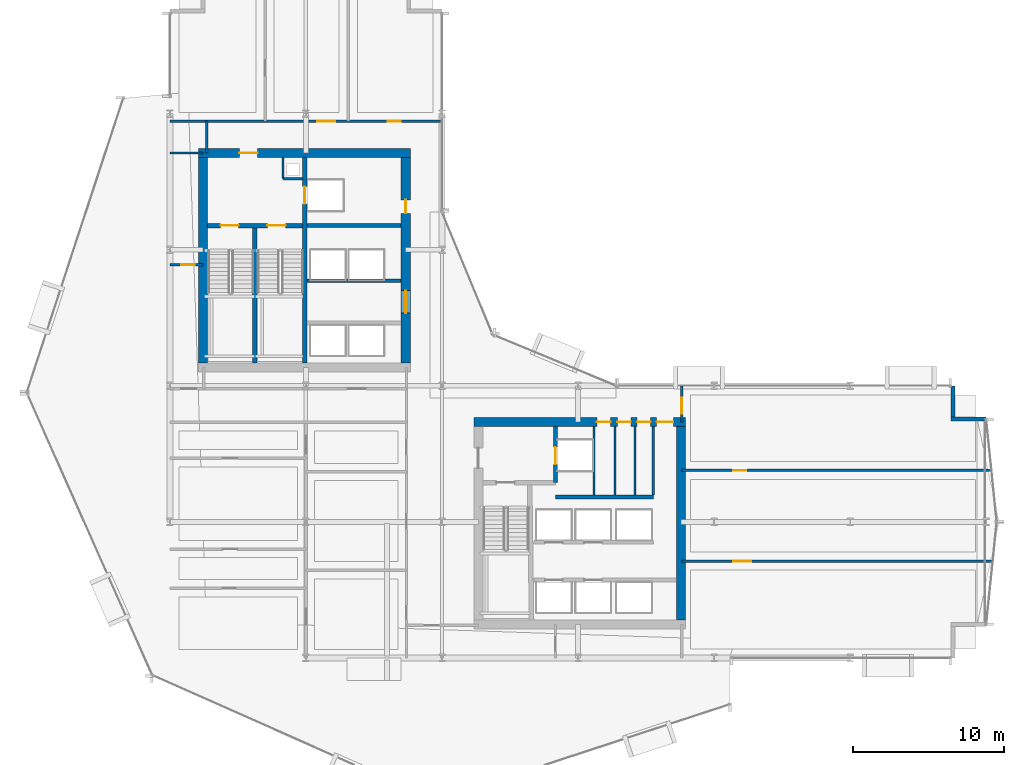
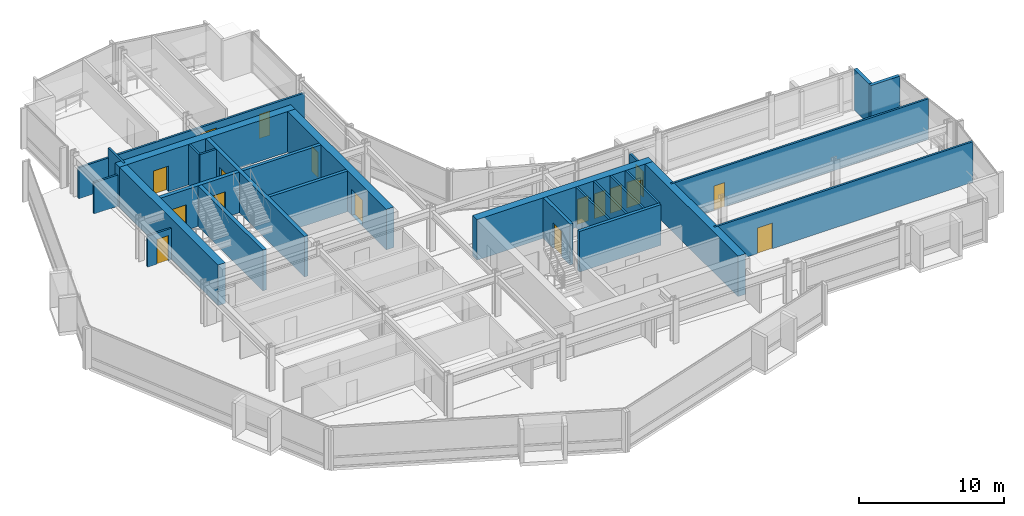
# One storey, part 28 of 34: 27 walls, 17 doors, 17 openings.
"""IFC4 building model written with IfcOpenShell, lengths in metres."""

from ifc_helpers import new_model, si_unit, direction, frame, frame_2d, origin, place, context, subcontext, project, spatial, rectangle, extrude, material, layer, layer_set, type_object, element, fill, save


model = new_model("IFC4")

# Units and contexts
model_context = context("Model", 3, precision=1e-05, world=origin(), true_north=direction((0.0, 1.0)))
body_context = subcontext(model_context, "Body", "Model", "MODEL_VIEW")
ifc_project = project(units=[si_unit("LENGTHUNIT", "METRE"), si_unit("AREAUNIT", "SQUARE_METRE"), si_unit("VOLUMEUNIT", "CUBIC_METRE"), si_unit("PLANEANGLEUNIT", "RADIAN"), si_unit("MASSUNIT", "GRAM", prefix="KILO")], contexts=[model_context])

# Site, building, storey
site_placement = place(None, origin())
site = spatial("IfcSite", under=ifc_project, at=site_placement, CompositionType="ELEMENT")
building_placement = place(site_placement, origin())
building = spatial("IfcBuilding", under=site, at=building_placement, Name="Solvaryn Broadcast Tower", CompositionType="ELEMENT")
storey_placement = place(building_placement, frame((0.0, 0.0, 43.39990234375)))
storey = spatial("IfcBuildingStorey", under=building, at=storey_placement, Name="L09", CompositionType="ELEMENT", Elevation=43.39990234375)

# Wall, opening, door
ifc_material_1 = material(Name="Concrete f'c 70 MPa", Category="concrete")
ifc_layer_1 = layer(ifc_material_1, 0.60009765625)
ifc_layer_set_1 = layer_set([ifc_layer_1], Name="CW-SHEAR-600")
wall_type_1 = type_object("IfcWallType", Name="CW-SHEAR-600", PredefinedType="SHEAR", material=ifc_layer_set_1)
wall_1_placement = place(storey_placement, frame((24.89990234375, 42.39990234375, 0.0), z_axis=(0.0, 0.0, 1.0), x_axis=(-1.0, 0.0, 0.0)))
wall_1 = element("IfcWall", 1, at=wall_1_placement, inside=storey, type_object=wall_type_1, Name="L09 West Core North Shear Wall", PredefinedType="SHEAR", context=body_context, shape_type="SweptSolid", body=[
    extrude(rectangle(XDim=14.0, YDim=0.60009765625, at=frame_2d((7.0, 0.0))), origin(), (0.0, 0.0, 1.0), 3.420166015625),
])
opening_1_placement = place(wall_1_placement, frame((10.10009765625, 0.0, 0.0)))
opening_1 = element("IfcOpeningElement", 2, at=opening_1_placement, cuts=wall_1, Name="Opening FD90A", PredefinedType="OPENING", context=body_context, shape_type="SweptSolid", body=[
    extrude(rectangle(XDim=1.199951171875, YDim=2.14990234375, at=frame_2d((0.60009765625, 1.074951171875))), frame((0.0, 0.31005859375, 0.0), z_axis=(0.0, -1.0, 0.0), x_axis=(1.0, 0.0, 0.0)), (0.0, 0.0, 1.0), 0.6201171875),
])
ifc_material_2 = material(Name="Flush Acoustic Steel and Timber Door Assembly", Category="steel")
door_type_1 = type_object("IfcDoorType", Name="FD90-STAIR-1200X2150", OperationType="NOTDEFINED", PredefinedType="DOOR", material=ifc_material_2)
door_1_placement = place(opening_1_placement, origin())
door_1 = element("IfcDoor", 3, at=door_1_placement, inside=storey, type_object=door_type_1, Name="L09 West FSAE Lobby Corridor Door", OperationType="SINGLE_SWING_LEFT", OverallHeight=2.14990234375, OverallWidth=1.199951171875, PredefinedType="DOOR", context=body_context, shape_type="SweptSolid", body=[
    extrude(rectangle(XDim=1.199951171875, YDim=2.14990234375, at=frame_2d((0.60009765625, 1.074951171875))), frame((0.0, 0.02490234375, 0.0), z_axis=(0.0, -1.0, 0.0), x_axis=(1.0, 0.0, 0.0)), (0.0, 0.0, 1.0), 0.050048828125),
])
fill(opening_1, door_1)

# Wall
wall_2_placement = place(storey_placement, frame((11.199951171875, 42.10009765625, 0.0), z_axis=(0.0, 0.0, 1.0), x_axis=(0.0, -1.0, 0.0)))
element("IfcWall", 4, at=wall_2_placement, inside=storey, type_object=wall_type_1, Name="L09 West Core West Shear Wall", PredefinedType="SHEAR", context=body_context, shape_type="SweptSolid", body=[
    extrude(rectangle(XDim=13.60009765625, YDim=0.60009765625, at=frame_2d((6.800048828125, 0.0))), origin(), (0.0, 0.0, 1.0), 3.420166015625),
])

# Wall, openings, doors
wall_3_placement = place(storey_placement, frame((24.60009765625, 28.5, 0.0), z_axis=(0.0, 0.0, 1.0), x_axis=(0.0, 1.0, 0.0)))
wall_3 = element("IfcWall", 5, at=wall_3_placement, inside=storey, type_object=wall_type_1, Name="L09 West Core East Shear Wall", PredefinedType="SHEAR", context=body_context, shape_type="SweptSolid", body=[
    extrude(rectangle(XDim=13.60009765625, YDim=0.60009765625, at=frame_2d((6.800048828125, 0.0))), origin(), (0.0, 0.0, 1.0), 3.420166015625),
])
opening_2_placement = place(wall_3_placement, frame((3.300048828125, 0.0, 0.0)))
opening_2 = element("IfcOpeningElement", 6, at=opening_2_placement, cuts=wall_3, Name="Opening FD60A", PredefinedType="OPENING", context=body_context, shape_type="SweptSolid", body=[
    extrude(rectangle(XDim=1.5, YDim=2.199951171875, at=frame_2d((0.75, 1.10009765625))), frame((0.0, 0.31005859375, 0.0), z_axis=(0.0, -1.0, 0.0), x_axis=(1.0, 0.0, 0.0)), (0.0, 0.0, 1.0), 0.6201171875),
])
opening_3_placement = place(wall_3_placement, frame((9.89990234375, 0.0, 0.0)))
opening_3 = element("IfcOpeningElement", 7, at=opening_3_placement, cuts=wall_3, Name="Opening FD60C", PredefinedType="OPENING", context=body_context, shape_type="SweptSolid", body=[
    extrude(rectangle(XDim=0.89990234375, YDim=2.10009765625, at=frame_2d((0.449951171875, 1.050048828125))), frame((0.0, 0.31005859375, 0.0), z_axis=(0.0, -1.0, 0.0), x_axis=(1.0, 0.0, 0.0)), (0.0, 0.0, 1.0), 0.6201171875),
])
ifc_material_3 = material(Name="Flush Acoustic Steel and Timber Door Assembly", Category="steel")
door_type_2 = type_object("IfcDoorType", Name="FD60-CORR-1500X2200", OperationType="NOTDEFINED", PredefinedType="DOOR", material=ifc_material_3)
door_2_placement = place(opening_2_placement, origin())
door_2 = element("IfcDoor", 8, at=door_2_placement, inside=storey, type_object=door_type_2, Name="L09 West Elevator Lobby Corridor Door", OperationType="DOUBLE_DOOR_SINGLE_SWING", OverallHeight=2.199951171875, OverallWidth=1.5, PredefinedType="DOOR", context=body_context, shape_type="SweptSolid", body=[
    extrude(rectangle(XDim=1.5, YDim=2.199951171875, at=frame_2d((0.75, 1.10009765625))), frame((0.0, 0.02490234375, 0.0), z_axis=(0.0, -1.0, 0.0), x_axis=(1.0, 0.0, 0.0)), (0.0, 0.0, 1.0), 0.050048828125),
])
fill(opening_2, door_2)
ifc_material_4 = material(Name="Flush Acoustic Steel and Timber Door Assembly", Category="steel")
door_type_3 = type_object("IfcDoorType", Name="FD60-SERV-900X2100", OperationType="NOTDEFINED", PredefinedType="DOOR", material=ifc_material_4)
door_3_placement = place(opening_3_placement, origin())
door_3 = element("IfcDoor", 9, at=door_3_placement, inside=storey, type_object=door_type_3, Name="L09 West Core Service Door 1", OperationType="SINGLE_SWING_LEFT", OverallHeight=2.10009765625, OverallWidth=0.89990234375, PredefinedType="DOOR", context=body_context, shape_type="SweptSolid", body=[
    extrude(rectangle(XDim=0.89990234375, YDim=2.10009765625, at=frame_2d((0.449951171875, 1.050048828125))), frame((0.0, 0.02490234375, 0.0), z_axis=(0.0, -1.0, 0.0), x_axis=(1.0, 0.0, 0.0)), (0.0, 0.0, 1.0), 0.050048828125),
])
fill(opening_3, door_3)

wall_4_placement = place(storey_placement, frame((43.10009765625, 24.60009765625, 0.0), z_axis=(0.0, 0.0, 1.0), x_axis=(-1.0, 0.0, 0.0)))
wall_4 = element("IfcWall", 10, at=wall_4_placement, inside=storey, type_object=wall_type_1, Name="L09 East Core North Shear Wall", PredefinedType="SHEAR", context=body_context, shape_type="SweptSolid", body=[
    extrude(rectangle(XDim=14.0, YDim=0.60009765625, at=frame_2d((7.0, 0.0))), origin(), (0.0, 0.0, 1.0), 3.420166015625),
])
opening_4_placement = place(wall_4_placement, frame((0.800048828125, 0.0, 0.0)))
opening_4 = element("IfcOpeningElement", 11, at=opening_4_placement, cuts=wall_4, Name="Opening FD90C", PredefinedType="OPENING", context=body_context, shape_type="SweptSolid", body=[
    extrude(rectangle(XDim=1.10009765625, YDim=2.14990234375, at=frame_2d((0.550048828125, 1.074951171875))), frame((0.0, 0.31005859375, 0.0), z_axis=(0.0, -1.0, 0.0), x_axis=(1.0, 0.0, 0.0)), (0.0, 0.0, 1.0), 0.6201171875),
])
opening_5_placement = place(wall_4_placement, frame((2.300048828125, 0.0, 0.0)))
opening_5 = element("IfcOpeningElement", 12, at=opening_5_placement, cuts=wall_4, Name="Opening FD60C", PredefinedType="OPENING", context=body_context, shape_type="SweptSolid", body=[
    extrude(rectangle(XDim=0.89990234375, YDim=2.10009765625, at=frame_2d((0.449951171875, 1.050048828125))), frame((0.0, 0.31005859375, 0.0), z_axis=(0.0, -1.0, 0.0), x_axis=(1.0, 0.0, 0.0)), (0.0, 0.0, 1.0), 0.6201171875),
])
opening_6_placement = place(wall_4_placement, frame((3.60009765625, 0.0, 0.0)))
opening_6 = element("IfcOpeningElement", 13, at=opening_6_placement, cuts=wall_4, Name="Opening FD60C", PredefinedType="OPENING", context=body_context, shape_type="SweptSolid", body=[
    extrude(rectangle(XDim=0.89990234375, YDim=2.10009765625, at=frame_2d((0.449951171875, 1.050048828125))), frame((0.0, 0.31005859375, 0.0), z_axis=(0.0, -1.0, 0.0), x_axis=(1.0, 0.0, 0.0)), (0.0, 0.0, 1.0), 0.6201171875),
])
opening_7_placement = place(wall_4_placement, frame((4.949951171875, 0.0, 0.0)))
opening_7 = element("IfcOpeningElement", 14, at=opening_7_placement, cuts=wall_4, Name="Opening FD60C", PredefinedType="OPENING", context=body_context, shape_type="SweptSolid", body=[
    extrude(rectangle(XDim=0.89990234375, YDim=2.10009765625, at=frame_2d((0.449951171875, 1.050048828125))), frame((0.0, 0.31005859375, 0.0), z_axis=(0.0, -1.0, 0.0), x_axis=(1.0, 0.0, 0.0)), (0.0, 0.0, 1.0), 0.6201171875),
])
door_4_placement = place(opening_5_placement, origin())
door_4 = element("IfcDoor", 15, at=door_4_placement, inside=storey, type_object=door_type_3, Name="L09 Core Wellness Room Door", OperationType="SINGLE_SWING_RIGHT", OverallHeight=2.10009765625, OverallWidth=0.89990234375, PredefinedType="DOOR", context=body_context, shape_type="SweptSolid", body=[
    extrude(rectangle(XDim=0.89990234375, YDim=2.10009765625, at=frame_2d((0.449951171875, 1.050048828125))), frame((0.0, 0.02490234375, 0.0), z_axis=(0.0, -1.0, 0.0), x_axis=(1.0, 0.0, 0.0)), (0.0, 0.0, 1.0), 0.050048828125),
])
fill(opening_5, door_4)
door_5_placement = place(opening_6_placement, origin())
door_5 = element("IfcDoor", 16, at=door_5_placement, inside=storey, type_object=door_type_3, Name="L09 Staff Restroom Door", OperationType="SINGLE_SWING_LEFT", OverallHeight=2.10009765625, OverallWidth=0.89990234375, PredefinedType="DOOR", context=body_context, shape_type="SweptSolid", body=[
    extrude(rectangle(XDim=0.89990234375, YDim=2.10009765625, at=frame_2d((0.449951171875, 1.050048828125))), frame((0.0, 0.02490234375, 0.0), z_axis=(0.0, -1.0, 0.0), x_axis=(1.0, 0.0, 0.0)), (0.0, 0.0, 1.0), 0.050048828125),
])
fill(opening_6, door_5)
door_6_placement = place(opening_7_placement, origin())
door_6 = element("IfcDoor", 17, at=door_6_placement, inside=storey, type_object=door_type_3, Name="L09 Accessible WC Door", OperationType="SINGLE_SWING_RIGHT", OverallHeight=2.10009765625, OverallWidth=0.89990234375, PredefinedType="DOOR", context=body_context, shape_type="SweptSolid", body=[
    extrude(rectangle(XDim=0.89990234375, YDim=2.10009765625, at=frame_2d((0.449951171875, 1.050048828125))), frame((0.0, 0.02490234375, 0.0), z_axis=(0.0, -1.0, 0.0), x_axis=(1.0, 0.0, 0.0)), (0.0, 0.0, 1.0), 0.050048828125),
])
fill(opening_7, door_6)
ifc_material_5 = material(Name="Flush Acoustic Steel and Timber Door Assembly", Category="steel")
door_type_4 = type_object("IfcDoorType", Name="FD90-PLANT-1100X2150", OperationType="NOTDEFINED", PredefinedType="DOOR", material=ifc_material_5)
door_7_placement = place(opening_4_placement, origin())
door_7 = element("IfcDoor", 18, at=door_7_placement, inside=storey, type_object=door_type_4, Name="L09 East Core Lobby Corridor Door", OperationType="SINGLE_SWING_LEFT", OverallHeight=2.14990234375, OverallWidth=1.10009765625, PredefinedType="DOOR", context=body_context, shape_type="SweptSolid", body=[
    extrude(rectangle(XDim=1.10009765625, YDim=2.14990234375, at=frame_2d((0.550048828125, 1.074951171875))), frame((0.0, 0.02490234375, 0.0), z_axis=(0.0, -1.0, 0.0), x_axis=(1.0, 0.0, 0.0)), (0.0, 0.0, 1.0), 0.050048828125),
])
fill(opening_4, door_7)

# Walls
wall_5_placement = place(storey_placement, frame((42.800048828125, 11.5, 0.0), z_axis=(0.0, 0.0, 1.0), x_axis=(0.0, 1.0, 0.0)))
element("IfcWall", 19, at=wall_5_placement, inside=storey, type_object=wall_type_1, Name="L09 East Core East Shear Wall", PredefinedType="SHEAR", context=body_context, shape_type="SweptSolid", body=[
    extrude(rectangle(XDim=12.800048828125, YDim=0.60009765625, at=frame_2d((6.39990234375, 0.0))), origin(), (0.0, 0.0, 1.0), 3.420166015625),
])
ifc_material_6 = material(Name="Concrete f'c 50 MPa", Category="concrete")
ifc_layer_2 = layer(ifc_material_6, 0.260009765625)
ifc_layer_set_2 = layer_set([ifc_layer_2], Name="EW-PIER-260")
wall_type_2 = type_object("IfcWallType", Name="EW-PIER-260", PredefinedType="SOLIDWALL", material=ifc_layer_set_2)
wall_6_placement = place(storey_placement, frame((63.0, 24.800048828125, 0.0), z_axis=(0.0, 0.0, 1.0), x_axis=(-1.0, 0.0, 0.0)))
element("IfcWall", 20, at=wall_6_placement, inside=storey, type_object=wall_type_2, Name="L09 Notched Corner Pier Wall NEE1", PredefinedType="SOLIDWALL", context=body_context, shape_type="SweptSolid", body=[
    extrude(rectangle(XDim=2.320068359375, YDim=0.260009765625, at=frame_2d((1.16015625, 0.0))), origin(), (0.0, 0.0, 1.0), 3.420166015625),
])
wall_7_placement = place(storey_placement, frame((60.800048828125, 24.919921875, 0.0), z_axis=(0.0, 0.0, 1.0), x_axis=(0.0, 1.0, 0.0)))
element("IfcWall", 21, at=wall_7_placement, inside=storey, type_object=wall_type_2, Name="L09 Notched Corner Pier Wall NEE2", PredefinedType="SOLIDWALL", context=body_context, shape_type="SweptSolid", body=[
    extrude(rectangle(XDim=2.080078125, YDim=0.260009765625, at=frame_2d((1.0400390625, 0.0))), origin(), (0.0, 0.0, 1.0), 3.420166015625),
])
ifc_material_7 = material(Name="Metal-Stud Service Core Partition")
ifc_layer_3 = layer(ifc_material_7, 0.14990234375)
ifc_layer_set_3 = layer_set([ifc_layer_3], Name="IW-PART-150")
wall_type_3 = type_object("IfcWallType", Name="IW-PART-150", PredefinedType="PARTITIONING", material=ifc_layer_set_3)
wall_8_placement = place(storey_placement, frame((16.47998046875, 40.699951171875, 0.0), z_axis=(0.0, 0.0, 1.0), x_axis=(1.0, 0.0, 0.0)))
element("IfcWall", 22, at=wall_8_placement, inside=storey, type_object=wall_type_3, Name="L09 West Core Riser Shaft South Wall", PredefinedType="PARTITIONING", context=body_context, shape_type="SweptSolid", body=[
    extrude(rectangle(XDim=1.2900390625, YDim=0.14990234375, at=frame_2d((0.64501953125, 0.0))), origin(), (0.0, 0.0, 1.0), 3.420166015625),
])
wall_9_placement = place(storey_placement, frame((16.47998046875, 40.699951171875, 0.0), z_axis=(0.0, 0.0, 1.0), x_axis=(0.0, 1.0, 0.0)))
element("IfcWall", 23, at=wall_9_placement, inside=storey, type_object=wall_type_3, Name="L09 West Core Riser Shaft West Wall", PredefinedType="PARTITIONING", context=body_context, shape_type="SweptSolid", body=[
    extrude(rectangle(XDim=1.400146484375, YDim=0.14990234375, at=frame_2d((0.7001953125, 0.0))), origin(), (0.0, 0.0, 1.0), 3.420166015625),
])
for number, where, z_axis, x_axis, name in (
    (24, (37.050048828125, 19.780029296875, 0.0), (0.0, 0.0, 1.0), (0.0, 1.0, 0.0), "L09 Interior Partition IW-L09-CE-FL2E"),
    (25, (38.43994140625, 19.780029296875, 0.0), (0.0, 0.0, 1.0), (0.0, 1.0, 0.0), "L09 Interior Partition IW-L09-CE-V1"),
    (26, (39.77001953125, 19.780029296875, 0.0), (0.0, 0.0, 1.0), (0.0, 1.0, 0.0), "L09 Interior Partition IW-L09-CE-V2"),
    (27, (40.97998046875, 19.780029296875, 0.0), (0.0, 0.0, 1.0), (0.0, 1.0, 0.0), "L09 Interior Partition IW-L09-CE-V3"),
):
    element("IfcWall", number, at=place(storey_placement, frame(where, z_axis=z_axis, x_axis=x_axis)), inside=storey, type_object=wall_type_3, Name=name, PredefinedType="PARTITIONING", context=body_context, shape_type="SweptSolid", body=[
        extrude(rectangle(XDim=4.52001953125, YDim=0.14990234375, at=frame_2d((2.260009765625, 0.0))), origin(), (0.0, 0.0, 1.0), 3.420166015625),
    ])

# Wall, opening, door
wall_10_placement = place(storey_placement, frame((9.0, 35.0, 0.0), z_axis=(0.0, 0.0, 1.0), x_axis=(1.0, 0.0, 0.0)))
wall_10 = element("IfcWall", 28, at=wall_10_placement, inside=storey, type_object=wall_type_3, Name="L09 Interior Partition IW-L09-WM-M", PredefinedType="PARTITIONING", context=body_context, shape_type="SweptSolid", body=[
    extrude(rectangle(XDim=2.199951171875, YDim=0.14990234375, at=frame_2d((1.10009765625, 0.0))), origin(), (0.0, 0.0, 1.0), 2.627197265625),
])
opening_8_placement = place(wall_10_placement, frame((0.75, 0.0, 0.0)))
opening_8 = element("IfcOpeningElement", 29, at=opening_8_placement, cuts=wall_10, Name="Opening FD60C", PredefinedType="OPENING", context=body_context, shape_type="SweptSolid", body=[
    extrude(rectangle(XDim=0.89990234375, YDim=2.10009765625, at=frame_2d((0.449951171875, 1.050048828125))), frame((0.0, 0.0849609375, 0.0), z_axis=(0.0, -1.0, 0.0), x_axis=(1.0, 0.0, 0.0)), (0.0, 0.0, 1.0), 0.169921875),
])
door_8_placement = place(opening_8_placement, origin())
door_8 = element("IfcDoor", 30, at=door_8_placement, inside=storey, type_object=door_type_3, Name="L09 Door DR-L09-WM1", OperationType="SINGLE_SWING_LEFT", OverallHeight=2.10009765625, OverallWidth=0.89990234375, PredefinedType="DOOR", context=body_context, shape_type="SweptSolid", body=[
    extrude(rectangle(XDim=0.89990234375, YDim=2.10009765625, at=frame_2d((0.449951171875, 1.050048828125))), frame((0.0, 0.02490234375, 0.0), z_axis=(0.0, -1.0, 0.0), x_axis=(1.0, 0.0, 0.0)), (0.0, 0.0, 1.0), 0.050048828125),
])
fill(opening_8, door_8)

# Walls
ifc_material_8 = material(Name="Metal-Stud Gypsum Office Partition")
ifc_layer_4 = layer(ifc_material_8, 0.159912109375)
ifc_layer_set_4 = layer_set([ifc_layer_4], Name="IW-PART-160")
wall_type_4 = type_object("IfcWallType", Name="IW-PART-160", PredefinedType="PARTITIONING", material=ifc_layer_set_4)
wall_11_placement = place(storey_placement, frame((9.0, 42.39990234375, 0.0), z_axis=(0.0, 0.0, 1.0), x_axis=(1.0, 0.0, 0.0)))
element("IfcWall", 31, at=wall_11_placement, inside=storey, type_object=wall_type_4, Name="L09 Interior Partition IW-L09-WM-N", PredefinedType="PARTITIONING", context=body_context, shape_type="SweptSolid", body=[
    extrude(rectangle(XDim=2.199951171875, YDim=0.159912109375, at=frame_2d((1.10009765625, 0.0))), origin(), (0.0, 0.0, 1.0), 2.627197265625),
])
wall_12_placement = place(storey_placement, frame((11.449951171875, 42.39990234375, 0.0), z_axis=(0.0, 0.0, 1.0), x_axis=(0.0, 1.0, 0.0)))
element("IfcWall", 32, at=wall_12_placement, inside=storey, type_object=wall_type_4, Name="L09 Interior Partition IW-L09-WM-E", PredefinedType="PARTITIONING", context=body_context, shape_type="SweptSolid", body=[
    extrude(rectangle(XDim=2.10009765625, YDim=0.159912109375, at=frame_2d((1.050048828125, 0.0))), origin(), (0.0, 0.0, 1.0), 3.420166015625),
])

# Wall, openings, doors
wall_13_placement = place(storey_placement, frame((9.0, 44.5, 0.0), z_axis=(0.0, 0.0, 1.0), x_axis=(1.0, 0.0, 0.0)))
wall_13 = element("IfcWall", 33, at=wall_13_placement, inside=storey, type_object=wall_type_4, Name="L09 Interior Partition IW-L09-NW-SB", PredefinedType="PARTITIONING", context=body_context, shape_type="SweptSolid", body=[
    extrude(rectangle(XDim=18.0, YDim=0.159912109375, at=frame_2d((9.0, 0.0))), origin(), (0.0, 0.0, 1.0), 2.627197265625),
])
opening_9_placement = place(wall_13_placement, frame((9.75, 0.0, 0.0)))
opening_9 = element("IfcOpeningElement", 34, at=opening_9_placement, cuts=wall_13, Name="Opening ID04", PredefinedType="OPENING", context=body_context, shape_type="SweptSolid", body=[
    extrude(rectangle(XDim=1.199951171875, YDim=2.14990234375, at=frame_2d((0.60009765625, 1.074951171875))), frame((0.0, 0.090087890625, 0.0), z_axis=(0.0, -1.0, 0.0), x_axis=(1.0, 0.0, 0.0)), (0.0, 0.0, 1.0), 0.179931640625),
])
opening_10_placement = place(wall_13_placement, frame((14.39990234375, 0.0, 0.0)))
opening_10 = element("IfcOpeningElement", 35, at=opening_10_placement, cuts=wall_13, Name="Opening ID07", PredefinedType="OPENING", context=body_context, shape_type="SweptSolid", body=[
    extrude(rectangle(XDim=0.860107421875, YDim=2.050048828125, at=frame_2d((0.43017578125, 1.02490234375))), frame((0.0, 0.090087890625, 0.0), z_axis=(0.0, -1.0, 0.0), x_axis=(1.0, 0.0, 0.0)), (0.0, 0.0, 1.0), 0.179931640625),
])
ifc_material_9 = material(Name="Flush Acoustic Steel and Timber Door Assembly", Category="steel")
door_type_5 = type_object("IfcDoorType", Name="ID-04-1200X2150", OperationType="NOTDEFINED", PredefinedType="DOOR", material=ifc_material_9)
door_9_placement = place(opening_9_placement, origin())
door_9 = element("IfcDoor", 36, at=door_9_placement, inside=storey, type_object=door_type_5, Name="L09 Door DR-L09-NW-2", OperationType="SINGLE_SWING_RIGHT", OverallHeight=2.14990234375, OverallWidth=1.199951171875, PredefinedType="DOOR", context=body_context, shape_type="SweptSolid", body=[
    extrude(rectangle(XDim=1.199951171875, YDim=2.14990234375, at=frame_2d((0.60009765625, 1.074951171875))), frame((0.0, 0.02490234375, 0.0), z_axis=(0.0, -1.0, 0.0), x_axis=(1.0, 0.0, 0.0)), (0.0, 0.0, 1.0), 0.050048828125),
])
fill(opening_9, door_9)
ifc_material_10 = material(Name="Flush Acoustic Steel and Timber Door Assembly", Category="steel")
door_type_6 = type_object("IfcDoorType", Name="ID-07-860X2050", OperationType="NOTDEFINED", PredefinedType="DOOR", material=ifc_material_10)
door_10_placement = place(opening_10_placement, origin())
door_10 = element("IfcDoor", 37, at=door_10_placement, inside=storey, type_object=door_type_6, Name="L09 Door DR-L09-NW-3", OperationType="SINGLE_SWING_LEFT", OverallHeight=2.050048828125, OverallWidth=0.860107421875, PredefinedType="DOOR", context=body_context, shape_type="SweptSolid", body=[
    extrude(rectangle(XDim=0.860107421875, YDim=2.050048828125, at=frame_2d((0.43017578125, 1.02490234375))), frame((0.0, 0.02490234375, 0.0), z_axis=(0.0, -1.0, 0.0), x_axis=(1.0, 0.0, 0.0)), (0.0, 0.0, 1.0), 0.050048828125),
])
fill(opening_10, door_10)

# Wall, opening, door
wall_14_placement = place(storey_placement, frame((42.85009765625, 24.60009765625, 0.0), z_axis=(0.0, 0.0, 1.0), x_axis=(0.0, 1.0, 0.0)))
wall_14 = element("IfcWall", 38, at=wall_14_placement, inside=storey, type_object=wall_type_4, Name="L09 Interior Partition IW-L09-EW-BN", PredefinedType="PARTITIONING", context=body_context, shape_type="SweptSolid", body=[
    extrude(rectangle(XDim=2.39990234375, YDim=0.159912109375, at=frame_2d((1.199951171875, 0.0))), origin(), (0.0, 0.0, 1.0), 2.627197265625),
])
opening_11_placement = place(wall_14_placement, frame((0.550048828125, 0.0, 0.0)))
opening_11 = element("IfcOpeningElement", 39, at=opening_11_placement, cuts=wall_14, Name="Opening ID03", PredefinedType="OPENING", context=body_context, shape_type="SweptSolid", body=[
    extrude(rectangle(XDim=1.050048828125, YDim=2.14990234375, at=frame_2d((0.52490234375, 1.074951171875))), frame((0.0, 0.090087890625, 0.0), z_axis=(0.0, -1.0, 0.0), x_axis=(1.0, 0.0, 0.0)), (0.0, 0.0, 1.0), 0.179931640625),
])
ifc_material_11 = material(Name="Flush Acoustic Steel and Timber Door Assembly", Category="steel")
door_type_7 = type_object("IfcDoorType", Name="ID-03-1050X2150", OperationType="NOTDEFINED", PredefinedType="DOOR", material=ifc_material_11)
door_11_placement = place(opening_11_placement, origin())
door_11 = element("IfcDoor", 40, at=door_11_placement, inside=storey, type_object=door_type_7, Name="L09 Door DR-L09-EW0", OperationType="SINGLE_SWING_RIGHT", OverallHeight=2.14990234375, OverallWidth=1.050048828125, PredefinedType="DOOR", context=body_context, shape_type="SweptSolid", body=[
    extrude(rectangle(XDim=1.050048828125, YDim=2.14990234375, at=frame_2d((0.52490234375, 1.074951171875))), frame((0.0, 0.02490234375, 0.0), z_axis=(0.0, -1.0, 0.0), x_axis=(1.0, 0.0, 0.0)), (0.0, 0.0, 1.0), 0.050048828125),
])
fill(opening_11, door_11)

wall_15_placement = place(storey_placement, frame((42.85009765625, 15.39990234375, 0.0), z_axis=(0.0, 0.0, 1.0), x_axis=(1.0, 0.0, 0.0)))
wall_15 = element("IfcWall", 41, at=wall_15_placement, inside=storey, type_object=wall_type_4, Name="L09 Interior Partition IW-L09-EW-H1", PredefinedType="PARTITIONING", context=body_context, shape_type="SweptSolid", body=[
    extrude(rectangle(XDim=20.581787109375, YDim=0.159912109375, at=frame_2d((10.291015625, 0.0))), origin(), (0.0, 0.0, 1.0), 3.420166015625),
])
opening_12_placement = place(wall_15_placement, frame((3.39990234375, 0.0, 0.0)))
opening_12 = element("IfcOpeningElement", 42, at=opening_12_placement, cuts=wall_15, Name="Opening ID04", PredefinedType="OPENING", context=body_context, shape_type="SweptSolid", body=[
    extrude(rectangle(XDim=1.199951171875, YDim=2.14990234375, at=frame_2d((0.60009765625, 1.074951171875))), frame((0.0, 0.090087890625, 0.0), z_axis=(0.0, -1.0, 0.0), x_axis=(1.0, 0.0, 0.0)), (0.0, 0.0, 1.0), 0.179931640625),
])
door_12_placement = place(opening_12_placement, origin())
door_12 = element("IfcDoor", 43, at=door_12_placement, inside=storey, type_object=door_type_5, Name="L09 Door DR-L09-EW-1", OperationType="SINGLE_SWING_LEFT", OverallHeight=2.14990234375, OverallWidth=1.199951171875, PredefinedType="DOOR", context=body_context, shape_type="SweptSolid", body=[
    extrude(rectangle(XDim=1.199951171875, YDim=2.14990234375, at=frame_2d((0.60009765625, 1.074951171875))), frame((0.0, 0.02490234375, 0.0), z_axis=(0.0, -1.0, 0.0), x_axis=(1.0, 0.0, 0.0)), (0.0, 0.0, 1.0), 0.050048828125),
])
fill(opening_12, door_12)

wall_16_placement = place(storey_placement, frame((42.85009765625, 21.39990234375, 0.0), z_axis=(0.0, 0.0, 1.0), x_axis=(1.0, 0.0, 0.0)))
wall_16 = element("IfcWall", 44, at=wall_16_placement, inside=storey, type_object=wall_type_4, Name="L09 Interior Partition IW-L09-EW-H2", PredefinedType="PARTITIONING", context=body_context, shape_type="SweptSolid", body=[
    extrude(rectangle(XDim=20.5, YDim=0.159912109375, at=frame_2d((10.25, 0.0))), origin(), (0.0, 0.0, 1.0), 3.420166015625),
])
opening_13_placement = place(wall_16_placement, frame((3.39990234375, 0.0, 0.0)))
opening_13 = element("IfcOpeningElement", 45, at=opening_13_placement, cuts=wall_16, Name="Opening ID07", PredefinedType="OPENING", context=body_context, shape_type="SweptSolid", body=[
    extrude(rectangle(XDim=0.860107421875, YDim=2.050048828125, at=frame_2d((0.43017578125, 1.02490234375))), frame((0.0, 0.090087890625, 0.0), z_axis=(0.0, -1.0, 0.0), x_axis=(1.0, 0.0, 0.0)), (0.0, 0.0, 1.0), 0.179931640625),
])
door_13_placement = place(opening_13_placement, origin())
door_13 = element("IfcDoor", 46, at=door_13_placement, inside=storey, type_object=door_type_6, Name="L09 Door DR-L09-EW-2", OperationType="SINGLE_SWING_RIGHT", OverallHeight=2.050048828125, OverallWidth=0.860107421875, PredefinedType="DOOR", context=body_context, shape_type="SweptSolid", body=[
    extrude(rectangle(XDim=0.860107421875, YDim=2.050048828125, at=frame_2d((0.43017578125, 1.02490234375))), frame((0.0, 0.02490234375, 0.0), z_axis=(0.0, -1.0, 0.0), x_axis=(1.0, 0.0, 0.0)), (0.0, 0.0, 1.0), 0.050048828125),
])
fill(opening_13, door_13)

# Walls
ifc_material_12 = material(Name="Concrete f'c 60 MPa", Category="concrete")
ifc_layer_5 = layer(ifc_material_12, 0.25)
ifc_layer_set_5 = layer_set([ifc_layer_5], Name="SW-SHAFT-250")
wall_type_5 = type_object("IfcWallType", Name="SW-SHAFT-250", PredefinedType="PARTITIONING", material=ifc_layer_set_5)
for number, where, z_axis, x_axis, name in (
    (47, (18.070068359375, 37.60009765625, 0.0), (0.0, 0.0, 1.0), (1.0, 0.0, 0.0), "L09 West Core FSAE Hoistway Front Wall"),
    (48, (24.300048828125, 33.949951171875, 0.0), (0.0, 0.0, 1.0), (-1.0, 0.0, 0.0), "L09 High-Rise Lift Bank North Wall"),
):
    element("IfcWall", number, at=place(storey_placement, frame(where, z_axis=z_axis, x_axis=x_axis)), inside=storey, type_object=wall_type_5, Name=name, PredefinedType="PARTITIONING", context=body_context, shape_type="SweptSolid", body=[
        extrude(rectangle(XDim=6.22998046875, YDim=0.25, at=frame_2d((3.114990234375, 0.0))), origin(), (0.0, 0.0, 1.0), 3.420166015625),
    ])

# Wall, opening, door
wall_17_placement = place(storey_placement, frame((34.5, 20.60009765625, 0.0), z_axis=(0.0, 0.0, 1.0), x_axis=(0.0, 1.0, 0.0)))
wall_17 = element("IfcWall", 49, at=wall_17_placement, inside=storey, type_object=wall_type_5, Name="L09 East FSAE Lobby East Wall", PredefinedType="PARTITIONING", context=body_context, shape_type="SweptSolid", body=[
    extrude(rectangle(XDim=3.699951171875, YDim=0.25, at=frame_2d((1.85009765625, 0.0))), origin(), (0.0, 0.0, 1.0), 3.420166015625),
])
opening_14_placement = place(wall_17_placement, frame((1.199951171875, 0.0, 0.0)))
opening_14 = element("IfcOpeningElement", 50, at=opening_14_placement, cuts=wall_17, Name="Opening LD01", PredefinedType="OPENING", context=body_context, shape_type="SweptSolid", body=[
    extrude(rectangle(XDim=1.14990234375, YDim=2.14990234375, at=frame_2d((0.574951171875, 1.074951171875))), frame((0.0, 0.135009765625, 0.0), z_axis=(0.0, -1.0, 0.0), x_axis=(1.0, 0.0, 0.0)), (0.0, 0.0, 1.0), 0.27001953125),
])
ifc_material_13 = material(Name="Flush Acoustic Steel and Timber Door Assembly", Category="steel")
door_type_8 = type_object("IfcDoorType", Name="LD-LIFT-1150X2150", OperationType="NOTDEFINED", PredefinedType="DOOR", material=ifc_material_13)
door_14_placement = place(opening_14_placement, origin())
door_14 = element("IfcDoor", 51, at=door_14_placement, inside=storey, type_object=door_type_8, Name="L09 FL2 Lift Landing Door", OperationType="DOUBLE_DOOR_SLIDING", OverallHeight=2.14990234375, OverallWidth=1.14990234375, PredefinedType="DOOR", context=body_context, shape_type="SweptSolid", body=[
    extrude(rectangle(XDim=1.14990234375, YDim=2.14990234375, at=frame_2d((0.574951171875, 1.074951171875))), frame((0.0, 0.02490234375, 0.0), z_axis=(0.0, -1.0, 0.0), x_axis=(1.0, 0.0, 0.0)), (0.0, 0.0, 1.0), 0.050048828125),
])
fill(opening_14, door_14)

# Walls
wall_18_placement = place(storey_placement, frame((34.5, 19.64990234375, 0.0), z_axis=(0.0, 0.0, 1.0), x_axis=(1.0, 0.0, 0.0)))
element("IfcWall", 52, at=wall_18_placement, inside=storey, type_object=wall_type_5, Name="L09 East Core Restroom South Wall", PredefinedType="PARTITIONING", context=body_context, shape_type="SweptSolid", body=[
    extrude(rectangle(XDim=6.47998046875, YDim=0.25, at=frame_2d((3.239990234375, 0.0))), origin(), (0.0, 0.0, 1.0), 3.420166015625),
])
ifc_material_14 = material(Name="Concrete f'c 70 MPa", Category="concrete")
ifc_layer_6 = layer(ifc_material_14, 0.300048828125)
ifc_layer_set_6 = layer_set([ifc_layer_6], Name="SW-SHAFT-300")
wall_type_6 = type_object("IfcWallType", Name="SW-SHAFT-300", PredefinedType="SHEAR", material=ifc_layer_set_6)
wall_19_placement = place(storey_placement, frame((14.6201171875, 28.5, 0.0), z_axis=(0.0, 0.0, 1.0), x_axis=(0.0, 1.0, 0.0)))
element("IfcWall", 53, at=wall_19_placement, inside=storey, type_object=wall_type_6, Name="L09 Stair 1-2 Dividing Wall", PredefinedType="SHEAR", context=body_context, shape_type="SweptSolid", body=[
    extrude(rectangle(XDim=8.949951171875, YDim=0.300048828125, at=frame_2d((4.47509765625, 0.0))), origin(), (0.0, 0.0, 1.0), 3.420166015625),
])

# Wall, opening, door
wall_20_placement = place(storey_placement, frame((17.919921875, 42.10009765625, 0.0), z_axis=(0.0, 0.0, 1.0), x_axis=(0.0, -1.0, 0.0)))
wall_20 = element("IfcWall", 54, at=wall_20_placement, inside=storey, type_object=wall_type_6, Name="L09 West Core Stair-Lobby Shear Wall", PredefinedType="SHEAR", context=body_context, shape_type="SweptSolid", body=[
    extrude(rectangle(XDim=13.60009765625, YDim=0.300048828125, at=frame_2d((6.800048828125, 0.0))), origin(), (0.0, 0.0, 1.0), 3.420166015625),
])
opening_15_placement = place(wall_20_placement, frame((1.925048828125, 0.0, 0.0)))
opening_15 = element("IfcOpeningElement", 55, at=opening_15_placement, cuts=wall_20, Name="Opening LD01", PredefinedType="OPENING", context=body_context, shape_type="SweptSolid", body=[
    extrude(rectangle(XDim=1.14990234375, YDim=2.14990234375, at=frame_2d((0.574951171875, 1.074951171875))), frame((0.0, 0.159912109375, 0.0), z_axis=(0.0, -1.0, 0.0), x_axis=(1.0, 0.0, 0.0)), (0.0, 0.0, 1.0), 0.320068359375),
])
door_15_placement = place(opening_15_placement, origin())
door_15 = element("IfcDoor", 56, at=door_15_placement, inside=storey, type_object=door_type_8, Name="L09 FL1 Lift Landing Door", OperationType="DOUBLE_DOOR_SLIDING", OverallHeight=2.14990234375, OverallWidth=1.14990234375, PredefinedType="DOOR", context=body_context, shape_type="SweptSolid", body=[
    extrude(rectangle(XDim=1.14990234375, YDim=2.14990234375, at=frame_2d((0.574951171875, 1.074951171875))), frame((0.0, 0.02490234375, 0.0), z_axis=(0.0, -1.0, 0.0), x_axis=(1.0, 0.0, 0.0)), (0.0, 0.0, 1.0), 0.050048828125),
])
fill(opening_15, door_15)

# Wall, openings, doors
wall_21_placement = place(storey_placement, frame((17.77001953125, 37.60009765625, 0.0), z_axis=(0.0, 0.0, 1.0), x_axis=(-1.0, 0.0, 0.0)))
wall_21 = element("IfcWall", 57, at=wall_21_placement, inside=storey, type_object=wall_type_6, Name="L09 West Core FSAE Lobby South Wall", PredefinedType="SHEAR", context=body_context, shape_type="SweptSolid", body=[
    extrude(rectangle(XDim=6.27001953125, YDim=0.300048828125, at=frame_2d((3.135009765625, 0.0))), origin(), (0.0, 0.0, 1.0), 3.420166015625),
])
opening_16_placement = place(wall_21_placement, frame((4.219970703125, 0.0, 0.0)))
opening_16 = element("IfcOpeningElement", 58, at=opening_16_placement, cuts=wall_21, Name="Opening FD90A", PredefinedType="OPENING", context=body_context, shape_type="SweptSolid", body=[
    extrude(rectangle(XDim=1.199951171875, YDim=2.14990234375, at=frame_2d((0.60009765625, 1.074951171875))), frame((0.0, 0.159912109375, 0.0), z_axis=(0.0, -1.0, 0.0), x_axis=(1.0, 0.0, 0.0)), (0.0, 0.0, 1.0), 0.320068359375),
])
opening_17_placement = place(wall_21_placement, frame((1.1201171875, 0.0, 0.0)))
opening_17 = element("IfcOpeningElement", 59, at=opening_17_placement, cuts=wall_21, Name="Opening FD90A", PredefinedType="OPENING", context=body_context, shape_type="SweptSolid", body=[
    extrude(rectangle(XDim=1.199951171875, YDim=2.14990234375, at=frame_2d((0.60009765625, 1.074951171875))), frame((0.0, 0.159912109375, 0.0), z_axis=(0.0, -1.0, 0.0), x_axis=(1.0, 0.0, 0.0)), (0.0, 0.0, 1.0), 0.320068359375),
])
door_16_placement = place(opening_16_placement, origin())
door_16 = element("IfcDoor", 60, at=door_16_placement, inside=storey, type_object=door_type_1, Name="L09 Stair 1 Fire Door", OperationType="SINGLE_SWING_LEFT", OverallHeight=2.14990234375, OverallWidth=1.199951171875, PredefinedType="DOOR", context=body_context, shape_type="SweptSolid", body=[
    extrude(rectangle(XDim=1.199951171875, YDim=2.14990234375, at=frame_2d((0.60009765625, 1.074951171875))), frame((0.0, 0.02490234375, 0.0), z_axis=(0.0, -1.0, 0.0), x_axis=(1.0, 0.0, 0.0)), (0.0, 0.0, 1.0), 0.050048828125),
])
fill(opening_16, door_16)
door_17_placement = place(opening_17_placement, origin())
door_17 = element("IfcDoor", 61, at=door_17_placement, inside=storey, type_object=door_type_1, Name="L09 Stair 2 Fire Door", OperationType="SINGLE_SWING_RIGHT", OverallHeight=2.14990234375, OverallWidth=1.199951171875, PredefinedType="DOOR", context=body_context, shape_type="SweptSolid", body=[
    extrude(rectangle(XDim=1.199951171875, YDim=2.14990234375, at=frame_2d((0.60009765625, 1.074951171875))), frame((0.0, 0.02490234375, 0.0), z_axis=(0.0, -1.0, 0.0), x_axis=(1.0, 0.0, 0.0)), (0.0, 0.0, 1.0), 0.050048828125),
])
fill(opening_17, door_17)

save(model, "model.ifc")
